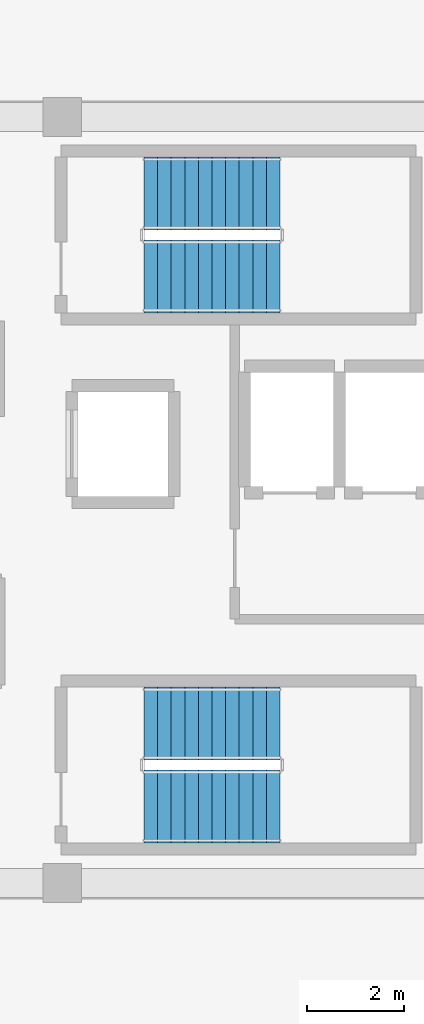
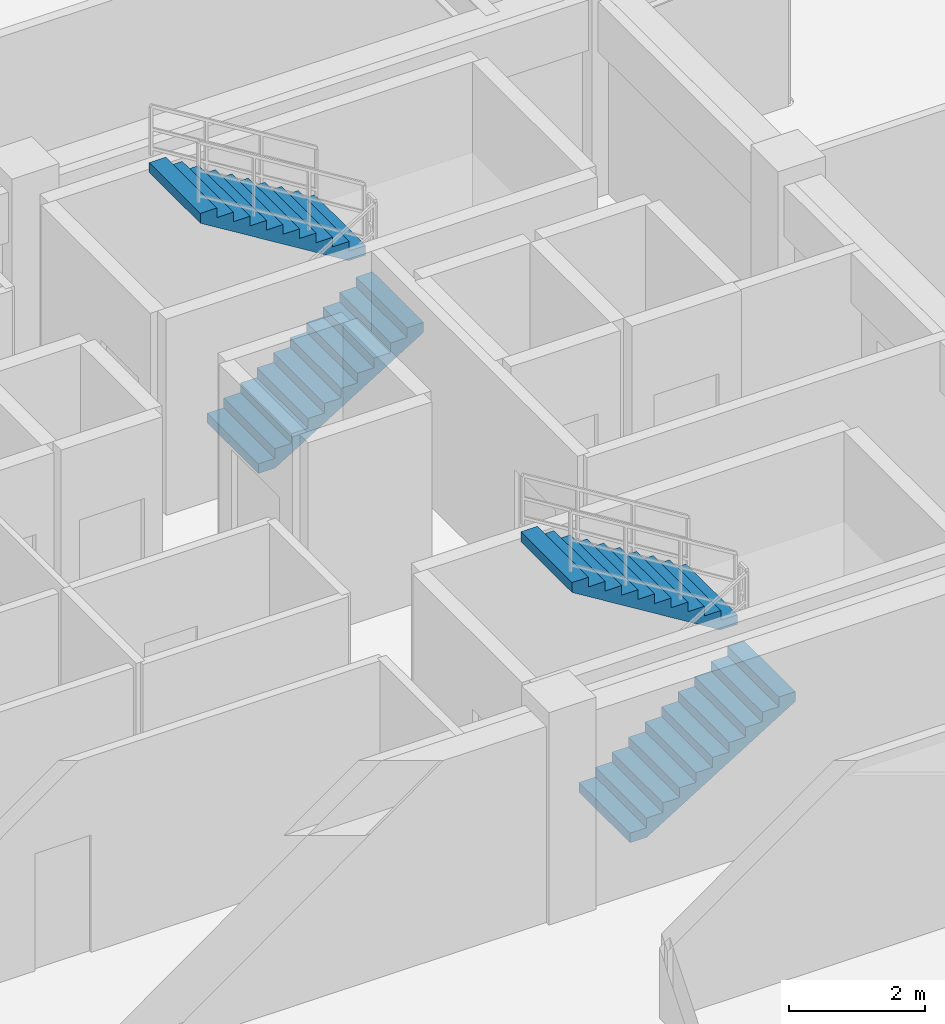
# One storey, part 6 of 9: 4 stair flights, 2 elements without a shape of their own.
"""IFC4 building model written with IfcOpenShell, lengths in metres."""

import ifcopenshell
import ifcopenshell.guid

model = None  # the IFC model being written
_history = None  # IfcOwnerHistory: only IFC2X3 demands one
_inside = {}  # id of a spatial element -> (the spatial element, [elements in it])
_under = {}  # id of a project, library or spatial element -> (it, [spatial elements below it])
_declared = {}  # id of a project -> (the project, [libraries it declares])
_typed = {}  # id of a type object -> (the type object, [elements of that type])
_made_of = {}  # id of a material, layer set ... -> (it, [elements and type objects made of it])


def new_model(schema):
    """Start an empty IFC model of exactly this schema.

    Asked for "IFC4X3", IfcOpenShell would pick the latest addendum, in which some entities
    have other attributes; the version numbers below select the first issue.
    IFC2X3 requires an IfcOwnerHistory on every rooted entity: one is made here for all.
    """
    global model, _history
    if schema == "IFC4X3":
        model = ifcopenshell.file(schema_version=(4, 3, 0, 0))
    else:
        model = ifcopenshell.file(schema=schema)
    _inside.clear()
    _under.clear()
    _declared.clear()
    _typed.clear()
    _made_of.clear()
    _history = None
    if model.schema == "IFC2X3":
        org = make("IfcOrganization", Name="unknown")
        user = make(
            "IfcPersonAndOrganization",
            ThePerson=make("IfcPerson", FamilyName="unknown"),
            TheOrganization=org,
        )
        app = make(
            "IfcApplication",
            ApplicationDeveloper=org,
            Version="unknown",
            ApplicationFullName="unknown",
            ApplicationIdentifier="unknown",
        )
        _history = make(
            "IfcOwnerHistory",
            OwningUser=user,
            OwningApplication=app,
            ChangeAction="ADDED",
            CreationDate=0,
        )
    return model


def make(cls, **values):
    """One entity of the class cls with the attributes given. An attribute that is None is left unset."""
    return model.create_entity(
        cls, **{name: value for name, value in values.items() if value is not None}
    )


def rooted(cls, **values):
    """An entity with a GlobalId (a new one), such as an element, a storey or a relation."""
    return make(cls, GlobalId=ifcopenshell.guid.new(), OwnerHistory=_history, **values)


def si_unit(unit_type, name, prefix=None):
    """IfcSIUnit, for example si_unit("LENGTHUNIT", "METRE", prefix="MILLI")."""
    return make("IfcSIUnit", UnitType=unit_type, Prefix=prefix, Name=name)


def assignment(units):
    """IfcUnitAssignment: the units of a project."""
    return None if units is None else make("IfcUnitAssignment", Units=units)


def point(xyz):
    """IfcCartesianPoint."""
    return None if xyz is None else make("IfcCartesianPoint", Coordinates=xyz)


def direction(xyz):
    """IfcDirection."""
    return None if xyz is None else make("IfcDirection", DirectionRatios=xyz)


def frame(location, z_axis=None, x_axis=None):
    """IfcAxis2Placement3D, a coordinate frame: its origin and axes. An axis left out is left unset."""
    return make(
        "IfcAxis2Placement3D",
        Location=point(location),
        Axis=direction(z_axis),
        RefDirection=direction(x_axis),
    )


def origin():
    """The frame at (0, 0, 0) with its axes left unset."""
    return frame((0.0, 0.0, 0.0))


def place(relative_to, where):
    """IfcLocalPlacement: puts the frame where relative to a parent placement (None: the world)."""
    return make(
        "IfcLocalPlacement", PlacementRelTo=relative_to, RelativePlacement=where
    )


def context(
    kind, dimensions, precision=None, world=None, true_north=None, identifier=None
):
    """IfcGeometricRepresentationContext, for example the 3D "Model" context."""
    return make(
        "IfcGeometricRepresentationContext",
        ContextIdentifier=identifier,
        ContextType=kind,
        CoordinateSpaceDimension=dimensions,
        Precision=precision,
        WorldCoordinateSystem=world,
        TrueNorth=true_north,
    )


def subcontext(parent, identifier, kind, view, scale=None):
    """IfcGeometricRepresentationSubContext, for example "Body" below "Model"."""
    return make(
        "IfcGeometricRepresentationSubContext",
        ContextIdentifier=identifier,
        ContextType=kind,
        ParentContext=parent,
        TargetScale=scale,
        TargetView=view,
    )


def project(units=None, contexts=None):
    """IfcProject with its units and contexts."""
    return rooted(
        "IfcProject",
        Name="project",
        RepresentationContexts=contexts,
        UnitsInContext=assignment(units),
    )


def spatial(cls, under=None, at=None, **own):
    """A site, building, storey or space (cls), placed at a placement, below another one or the project."""
    s = rooted(cls, ObjectPlacement=at, **own)
    if under is not None:
        _under.setdefault(under.id(), (under, []))[1].append(s)
    return s


def polyline(points):
    """IfcPolyline through the points."""
    return make("IfcPolyline", Points=[point(p) for p in points])


def outline(outer, holes=None, kind="AREA"):
    """IfcArbitraryClosedProfileDef: a profile drawn as a closed curve; with holes, ...WithVoids."""
    if holes is None:
        return make("IfcArbitraryClosedProfileDef", ProfileType=kind, OuterCurve=outer)
    return make(
        "IfcArbitraryProfileDefWithVoids",
        ProfileType=kind,
        OuterCurve=outer,
        InnerCurves=holes,
    )


def extrude(swept, where, along, depth):
    """IfcExtrudedAreaSolid: the profile swept, set in the frame where, extruded along a direction by depth."""
    return make(
        "IfcExtrudedAreaSolid",
        SweptArea=swept,
        Position=where,
        ExtrudedDirection=direction(along),
        Depth=depth,
    )


def shape(context_of_items, identifier, shape_type, items):
    """IfcShapeRepresentation: the items that make up one representation, for example the "Body"."""
    return make(
        "IfcShapeRepresentation",
        ContextOfItems=context_of_items,
        RepresentationIdentifier=identifier,
        RepresentationType=shape_type,
        Items=items,
    )


def material(Name=None, Category=None):
    """IfcMaterial."""
    return make("IfcMaterial", Name=Name, Category=Category)


def made_of(thing, what):
    """Note that an element or type object is made of a material, layer set ...; save() writes the relation."""
    if what is not None:
        _made_of.setdefault(what.id(), (what, []))[1].append(thing)
    return thing


def type_object(cls, material=None, **own):
    """A type object (cls), such as IfcWallType, which elements share."""
    return made_of(rooted(cls, **own), material)


def element(
    cls,
    number,
    at=None,
    inside=None,
    cuts=None,
    type_object=None,
    material=None,
    context=None,
    identifier="Body",
    shape_type=None,
    held_by="IfcProductDefinitionShape",
    body=None,
    shapes=None,
    **own,
):
    """One element of the class cls, such as IfcWall. Its Tag is "e" and its number.

    at: its placement. inside: the storey or other place that contains it. cuts: it is an
    opening in that element (IfcRelVoidsElement). A single representation is given by context,
    identifier, shape_type and body (its items); several are given by shapes. held_by: the class
    of the entity that holds the representations. save() writes the other relations.
    """
    e = rooted(cls, Tag="e%d" % number, ObjectPlacement=at, **own)
    if body is not None:
        shapes = [shape(context, identifier, shape_type, body)]
    if shapes is not None:
        e.Representation = make(held_by, Representations=shapes)
    if inside is not None:
        _inside.setdefault(inside.id(), (inside, []))[1].append(e)
    if cuts is not None:
        rooted(
            "IfcRelVoidsElement", RelatingBuildingElement=cuts, RelatedOpeningElement=e
        )
    if type_object is not None:
        _typed.setdefault(type_object.id(), (type_object, []))[1].append(e)
    return made_of(e, material)


def aggregate(whole, parts):
    """IfcRelAggregates: a whole, such as a stair, and the parts it consists of."""
    return rooted("IfcRelAggregates", RelatingObject=whole, RelatedObjects=parts)


def save(model, path):
    """Write the relations noted so far, then the file.

    IfcRelAggregates (storeys below a building ...), IfcRelContainedInSpatialStructure (elements
    in a storey), IfcRelDefinesByType, IfcRelAssociatesMaterial and IfcRelDeclares: one each for
    every whole, place, type object, material and project.
    """
    for whole, parts in _under.values():
        aggregate(whole, parts)
    for where, things in _inside.values():
        rooted(
            "IfcRelContainedInSpatialStructure",
            RelatedElements=things,
            RelatingStructure=where,
        )
    for kind, things in _typed.values():
        rooted("IfcRelDefinesByType", RelatedObjects=things, RelatingType=kind)
    for what, things in _made_of.values():
        rooted("IfcRelAssociatesMaterial", RelatedObjects=things, RelatingMaterial=what)
    for by, libraries in _declared.values():
        rooted("IfcRelDeclares", RelatingContext=by, RelatedDefinitions=libraries)
    model.write(path)


model = new_model("IFC4")

# Units and contexts
model_context = context("Model", 3, precision=1e-05, world=origin(), true_north=direction((0.0, 1.0)))
body_context = subcontext(model_context, "Body", "Model", "MODEL_VIEW")
ifc_project = project(units=[si_unit("LENGTHUNIT", "METRE"), si_unit("AREAUNIT", "SQUARE_METRE"), si_unit("VOLUMEUNIT", "CUBIC_METRE"), si_unit("PLANEANGLEUNIT", "RADIAN"), si_unit("MASSUNIT", "GRAM", prefix="KILO")], contexts=[model_context])

# Site, building, storey
site_placement = place(None, origin())
site = spatial("IfcSite", under=ifc_project, at=site_placement, CompositionType="ELEMENT")
building_placement = place(site_placement, origin())
building = spatial("IfcBuilding", under=site, at=building_placement, Name="Zulverin Broadcast Headquarters", CompositionType="ELEMENT")
storey_placement = place(building_placement, frame((0.0, 0.0, 251.60009765625)))
storey = spatial("IfcBuildingStorey", under=building, at=storey_placement, Name="L64", CompositionType="ELEMENT", Elevation=251.60009765625)

# Stair, stair flights
ifc_material = material(Name="Concrete C40/50", Category="concrete")
stair_type = type_object("IfcStairType", Name="ST-CORE-1500", PredefinedType="HALF_TURN_STAIR", material=ifc_material)
stair_1_placement = place(storey_placement, origin())
stair_1 = element("IfcStair", 1, at=stair_1_placement, inside=storey, type_object=stair_type, Name="L64 Core Exit Stair ST-1", PredefinedType="HALF_TURN_STAIR")
stair_flight_type = type_object("IfcStairFlightType", Name="SF-CORE-1500", PredefinedType="STRAIGHT", material=ifc_material)
stair_flight_1_placement = place(storey_placement, frame((40.1298828125, 29.800048828125, 0.0), z_axis=(0.0, 0.0, 1.0), x_axis=(1.0, 0.0, 0.0)))
stair_flight_1 = element("IfcStairFlight", 2, at=stair_flight_1_placement, type_object=stair_flight_type, Name="ST-1 flight 1", NumberOfRisers=11, NumberOfTreads=10, PredefinedType="STRAIGHT", RiserHeight=0.172727273, TreadLength=0.28, context=body_context, shape_type="SweptSolid", body=[
    extrude(outline(polyline([(0.0, 0.0), (0.0, 0.172607421875), (0.280029296875, 0.172607421875), (0.280029296875, 0.345458984375), (0.56005859375, 0.345458984375), (0.56005859375, 0.51806640625), (0.840087890625, 0.51806640625), (0.840087890625, 0.69091796875), (1.1201171875, 0.69091796875), (1.1201171875, 0.863525390625), (1.39990234375, 0.863525390625), (1.39990234375, 1.036376953125), (1.679931640625, 1.036376953125), (1.679931640625, 1.208984375), (1.9599609375, 1.208984375), (1.9599609375, 1.3818359375), (2.239990234375, 1.3818359375), (2.239990234375, 1.554443359375), (2.52001953125, 1.554443359375), (2.52001953125, 1.727294921875), (2.800048828125, 1.727294921875), (2.800048828125, 1.89990234375), (2.800048828125, 1.551025390625), (0.285400390625, 0.0), (0.0, 0.0)])), frame((0.0, 0.75, 0.0), z_axis=(0.0, -1.0, 0.0), x_axis=(1.0, 0.0, 0.0)), (0.0, 0.0, 1.0), 1.5),
])
stair_flight_2_placement = place(storey_placement, frame((42.929931640625, 31.5, 1.89990234375), z_axis=(0.0, 0.0, 1.0), x_axis=(-1.0, 0.0, 0.0)))
stair_flight_2 = element("IfcStairFlight", 3, at=stair_flight_2_placement, type_object=stair_flight_type, Name="ST-1 flight 2", NumberOfRisers=11, NumberOfTreads=10, PredefinedType="STRAIGHT", RiserHeight=0.172727273, TreadLength=0.28, context=body_context, shape_type="SweptSolid", body=[
    extrude(outline(polyline([(0.0, 0.0), (0.0, 0.172607421875), (0.280029296875, 0.172607421875), (0.280029296875, 0.345458984375), (0.56005859375, 0.345458984375), (0.56005859375, 0.51806640625), (0.840087890625, 0.51806640625), (0.840087890625, 0.69091796875), (1.1201171875, 0.69091796875), (1.1201171875, 0.863525390625), (1.39990234375, 0.863525390625), (1.39990234375, 1.036376953125), (1.679931640625, 1.036376953125), (1.679931640625, 1.208984375), (1.9599609375, 1.208984375), (1.9599609375, 1.3818359375), (2.239990234375, 1.3818359375), (2.239990234375, 1.554443359375), (2.52001953125, 1.554443359375), (2.52001953125, 1.727294921875), (2.800048828125, 1.727294921875), (2.800048828125, 1.89990234375), (2.800048828125, 1.551025390625), (0.285400390625, 0.0), (0.0, 0.0)])), frame((0.0, 0.75, 0.0), z_axis=(0.0, -1.0, 0.0), x_axis=(1.0, 0.0, 0.0)), (0.0, 0.0, 1.0), 1.5),
])
aggregate(stair_1, [stair_flight_1, stair_flight_2])

stair_2_placement = place(storey_placement, origin())
stair_2 = element("IfcStair", 4, at=stair_2_placement, inside=storey, type_object=stair_type, Name="L64 Core Exit Stair ST-2", PredefinedType="HALF_TURN_STAIR")
stair_flight_3_placement = place(storey_placement, frame((40.1298828125, 18.89990234375, 0.0), z_axis=(0.0, 0.0, 1.0), x_axis=(1.0, 0.0, 0.0)))
stair_flight_3 = element("IfcStairFlight", 5, at=stair_flight_3_placement, type_object=stair_flight_type, Name="ST-2 flight 1", NumberOfRisers=11, NumberOfTreads=10, PredefinedType="STRAIGHT", RiserHeight=0.172727273, TreadLength=0.28, context=body_context, shape_type="SweptSolid", body=[
    extrude(outline(polyline([(0.0, 0.0), (0.0, 0.172607421875), (0.280029296875, 0.172607421875), (0.280029296875, 0.345458984375), (0.56005859375, 0.345458984375), (0.56005859375, 0.51806640625), (0.840087890625, 0.51806640625), (0.840087890625, 0.69091796875), (1.1201171875, 0.69091796875), (1.1201171875, 0.863525390625), (1.39990234375, 0.863525390625), (1.39990234375, 1.036376953125), (1.679931640625, 1.036376953125), (1.679931640625, 1.208984375), (1.9599609375, 1.208984375), (1.9599609375, 1.3818359375), (2.239990234375, 1.3818359375), (2.239990234375, 1.554443359375), (2.52001953125, 1.554443359375), (2.52001953125, 1.727294921875), (2.800048828125, 1.727294921875), (2.800048828125, 1.89990234375), (2.800048828125, 1.551025390625), (0.285400390625, 0.0), (0.0, 0.0)])), frame((0.0, 0.75, 0.0), z_axis=(0.0, -1.0, 0.0), x_axis=(1.0, 0.0, 0.0)), (0.0, 0.0, 1.0), 1.5),
])
stair_flight_4_placement = place(storey_placement, frame((42.929931640625, 20.60009765625, 1.89990234375), z_axis=(0.0, 0.0, 1.0), x_axis=(-1.0, 0.0, 0.0)))
stair_flight_4 = element("IfcStairFlight", 6, at=stair_flight_4_placement, type_object=stair_flight_type, Name="ST-2 flight 2", NumberOfRisers=11, NumberOfTreads=10, PredefinedType="STRAIGHT", RiserHeight=0.172727273, TreadLength=0.28, context=body_context, shape_type="SweptSolid", body=[
    extrude(outline(polyline([(0.0, 0.0), (0.0, 0.172607421875), (0.280029296875, 0.172607421875), (0.280029296875, 0.345458984375), (0.56005859375, 0.345458984375), (0.56005859375, 0.51806640625), (0.840087890625, 0.51806640625), (0.840087890625, 0.69091796875), (1.1201171875, 0.69091796875), (1.1201171875, 0.863525390625), (1.39990234375, 0.863525390625), (1.39990234375, 1.036376953125), (1.679931640625, 1.036376953125), (1.679931640625, 1.208984375), (1.9599609375, 1.208984375), (1.9599609375, 1.3818359375), (2.239990234375, 1.3818359375), (2.239990234375, 1.554443359375), (2.52001953125, 1.554443359375), (2.52001953125, 1.727294921875), (2.800048828125, 1.727294921875), (2.800048828125, 1.89990234375), (2.800048828125, 1.551025390625), (0.285400390625, 0.0), (0.0, 0.0)])), frame((0.0, 0.75, 0.0), z_axis=(0.0, -1.0, 0.0), x_axis=(1.0, 0.0, 0.0)), (0.0, 0.0, 1.0), 1.5),
])
aggregate(stair_2, [stair_flight_3, stair_flight_4])

save(model, "model.ifc")
